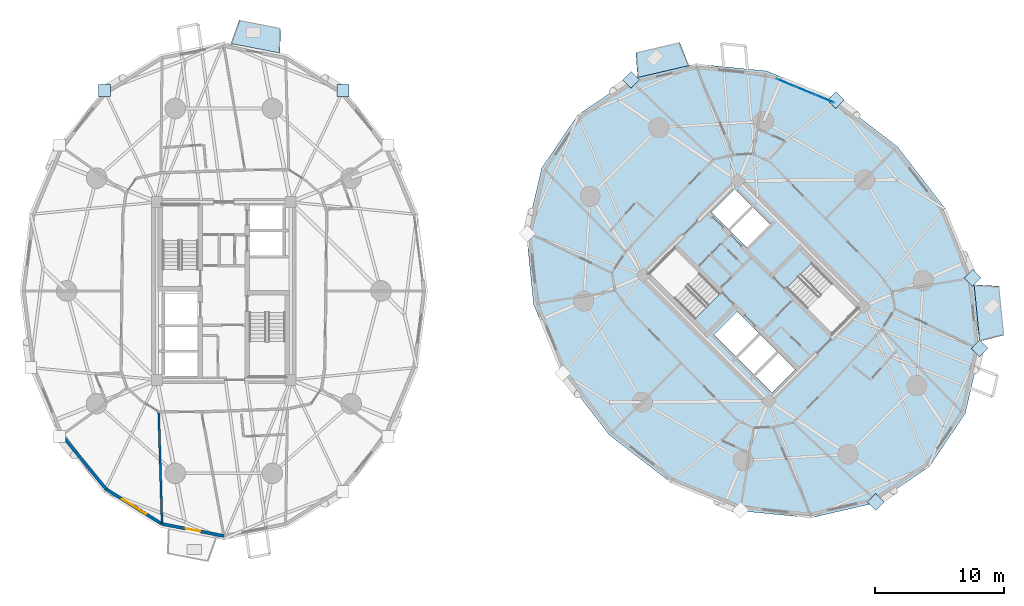
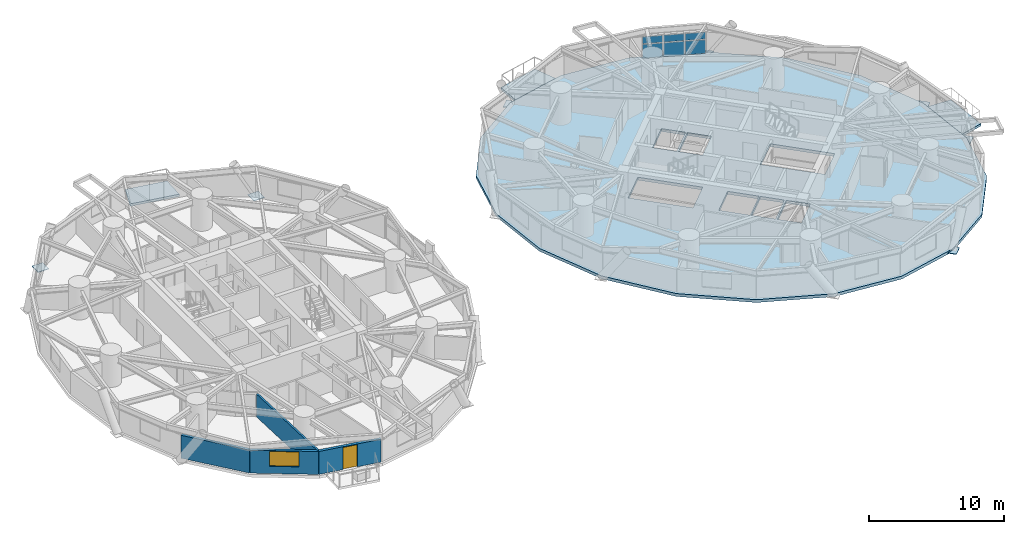
# One storey, part 9 of 19: 13 plates, 4 slabs, 4 walls, 1 door, 1 window, 2 openings, 1 element without a shape of its own.
"""IFC4 building model written with IfcOpenShell, lengths in metres."""

import ifcopenshell
import ifcopenshell.guid

model = None  # the IFC model being written
_history = None  # IfcOwnerHistory: only IFC2X3 demands one
_inside = {}  # id of a spatial element -> (the spatial element, [elements in it])
_under = {}  # id of a project, library or spatial element -> (it, [spatial elements below it])
_declared = {}  # id of a project -> (the project, [libraries it declares])
_typed = {}  # id of a type object -> (the type object, [elements of that type])
_made_of = {}  # id of a material, layer set ... -> (it, [elements and type objects made of it])


def new_model(schema):
    """Start an empty IFC model of exactly this schema.

    Asked for "IFC4X3", IfcOpenShell would pick the latest addendum, in which some entities
    have other attributes; the version numbers below select the first issue.
    IFC2X3 requires an IfcOwnerHistory on every rooted entity: one is made here for all.
    """
    global model, _history
    if schema == "IFC4X3":
        model = ifcopenshell.file(schema_version=(4, 3, 0, 0))
    else:
        model = ifcopenshell.file(schema=schema)
    _inside.clear()
    _under.clear()
    _declared.clear()
    _typed.clear()
    _made_of.clear()
    _history = None
    if model.schema == "IFC2X3":
        org = make("IfcOrganization", Name="unknown")
        user = make(
            "IfcPersonAndOrganization",
            ThePerson=make("IfcPerson", FamilyName="unknown"),
            TheOrganization=org,
        )
        app = make(
            "IfcApplication",
            ApplicationDeveloper=org,
            Version="unknown",
            ApplicationFullName="unknown",
            ApplicationIdentifier="unknown",
        )
        _history = make(
            "IfcOwnerHistory",
            OwningUser=user,
            OwningApplication=app,
            ChangeAction="ADDED",
            CreationDate=0,
        )
    return model


def make(cls, **values):
    """One entity of the class cls with the attributes given. An attribute that is None is left unset."""
    return model.create_entity(
        cls, **{name: value for name, value in values.items() if value is not None}
    )


def rooted(cls, **values):
    """An entity with a GlobalId (a new one), such as an element, a storey or a relation."""
    return make(cls, GlobalId=ifcopenshell.guid.new(), OwnerHistory=_history, **values)


def si_unit(unit_type, name, prefix=None):
    """IfcSIUnit, for example si_unit("LENGTHUNIT", "METRE", prefix="MILLI")."""
    return make("IfcSIUnit", UnitType=unit_type, Prefix=prefix, Name=name)


def assignment(units):
    """IfcUnitAssignment: the units of a project."""
    return None if units is None else make("IfcUnitAssignment", Units=units)


def point(xyz):
    """IfcCartesianPoint."""
    return None if xyz is None else make("IfcCartesianPoint", Coordinates=xyz)


def direction(xyz):
    """IfcDirection."""
    return None if xyz is None else make("IfcDirection", DirectionRatios=xyz)


def frame(location, z_axis=None, x_axis=None):
    """IfcAxis2Placement3D, a coordinate frame: its origin and axes. An axis left out is left unset."""
    return make(
        "IfcAxis2Placement3D",
        Location=point(location),
        Axis=direction(z_axis),
        RefDirection=direction(x_axis),
    )


def frame_2d(location, x_axis=None):
    """IfcAxis2Placement2D, a coordinate frame in the plane: its origin and x axis."""
    return make(
        "IfcAxis2Placement2D", Location=point(location), RefDirection=direction(x_axis)
    )


def origin():
    """The frame at (0, 0, 0) with its axes left unset."""
    return frame((0.0, 0.0, 0.0))


def origin_2d():
    """The frame at (0, 0) in the plane with its x axis left unset."""
    return frame_2d((0.0, 0.0))


def place(relative_to, where):
    """IfcLocalPlacement: puts the frame where relative to a parent placement (None: the world)."""
    return make(
        "IfcLocalPlacement", PlacementRelTo=relative_to, RelativePlacement=where
    )


def context(
    kind, dimensions, precision=None, world=None, true_north=None, identifier=None
):
    """IfcGeometricRepresentationContext, for example the 3D "Model" context."""
    return make(
        "IfcGeometricRepresentationContext",
        ContextIdentifier=identifier,
        ContextType=kind,
        CoordinateSpaceDimension=dimensions,
        Precision=precision,
        WorldCoordinateSystem=world,
        TrueNorth=true_north,
    )


def subcontext(parent, identifier, kind, view, scale=None):
    """IfcGeometricRepresentationSubContext, for example "Body" below "Model"."""
    return make(
        "IfcGeometricRepresentationSubContext",
        ContextIdentifier=identifier,
        ContextType=kind,
        ParentContext=parent,
        TargetScale=scale,
        TargetView=view,
    )


def project(units=None, contexts=None):
    """IfcProject with its units and contexts."""
    return rooted(
        "IfcProject",
        Name="project",
        RepresentationContexts=contexts,
        UnitsInContext=assignment(units),
    )


def spatial(cls, under=None, at=None, **own):
    """A site, building, storey or space (cls), placed at a placement, below another one or the project."""
    s = rooted(cls, ObjectPlacement=at, **own)
    if under is not None:
        _under.setdefault(under.id(), (under, []))[1].append(s)
    return s


def polyline(points):
    """IfcPolyline through the points."""
    return make("IfcPolyline", Points=[point(p) for p in points])


def profile(cls, at=None, kind="AREA", **sizes):
    """A parametric profile (cls). Its sizes go by their IFC names, for example OverallWidth=200.0."""
    return make(cls, ProfileType=kind, Position=at, **sizes)


def rectangle(**sizes):
    """IfcRectangleProfileDef."""
    return profile("IfcRectangleProfileDef", **sizes)


def outline(outer, holes=None, kind="AREA"):
    """IfcArbitraryClosedProfileDef: a profile drawn as a closed curve; with holes, ...WithVoids."""
    if holes is None:
        return make("IfcArbitraryClosedProfileDef", ProfileType=kind, OuterCurve=outer)
    return make(
        "IfcArbitraryProfileDefWithVoids",
        ProfileType=kind,
        OuterCurve=outer,
        InnerCurves=holes,
    )


def extrude(swept, where, along, depth):
    """IfcExtrudedAreaSolid: the profile swept, set in the frame where, extruded along a direction by depth."""
    return make(
        "IfcExtrudedAreaSolid",
        SweptArea=swept,
        Position=where,
        ExtrudedDirection=direction(along),
        Depth=depth,
    )


def shape(context_of_items, identifier, shape_type, items):
    """IfcShapeRepresentation: the items that make up one representation, for example the "Body"."""
    return make(
        "IfcShapeRepresentation",
        ContextOfItems=context_of_items,
        RepresentationIdentifier=identifier,
        RepresentationType=shape_type,
        Items=items,
    )


def source(mapping_origin, context_of_items, identifier, shape_type, items):
    """IfcRepresentationMap: a shape defined once, which mapped items show again and again."""
    return make(
        "IfcRepresentationMap",
        MappingOrigin=mapping_origin,
        MappedRepresentation=shape(context_of_items, identifier, shape_type, items),
    )


def transform(
    local_origin,
    x_axis=None,
    y_axis=None,
    z_axis=None,
    scale=None,
    scale2=None,
    scale3=None,
    uniform=True,
):
    """IfcCartesianTransformationOperator3D, or its non-uniform kind. x_axis, y_axis, z_axis: its Axis1, 2, 3."""
    if uniform:
        return make(
            "IfcCartesianTransformationOperator3D",
            Axis1=direction(x_axis),
            Axis2=direction(y_axis),
            LocalOrigin=point(local_origin),
            Scale=scale,
            Axis3=direction(z_axis),
        )
    return make(
        "IfcCartesianTransformationOperator3DnonUniform",
        Axis1=direction(x_axis),
        Axis2=direction(y_axis),
        LocalOrigin=point(local_origin),
        Scale=scale,
        Axis3=direction(z_axis),
        Scale2=scale2,
        Scale3=scale3,
    )


def mapped(mapping_source, mapping_target):
    """IfcMappedItem: shows the shape of a source again, moved by a transform."""
    return make(
        "IfcMappedItem", MappingSource=mapping_source, MappingTarget=mapping_target
    )


def material(Name=None, Category=None):
    """IfcMaterial."""
    return make("IfcMaterial", Name=Name, Category=Category)


def layer(
    of_material, thickness, ventilated=None, Name=None, Category=None, Priority=None
):
    """IfcMaterialLayer: one layer of a wall or slab, of a material (None: an air gap)."""
    return make(
        "IfcMaterialLayer",
        Material=of_material,
        LayerThickness=thickness,
        IsVentilated=ventilated,
        Name=Name,
        Category=Category,
        Priority=Priority,
    )


def layer_set(layers, Name=None):
    """IfcMaterialLayerSet."""
    return make("IfcMaterialLayerSet", MaterialLayers=layers, LayerSetName=Name)


def made_of(thing, what):
    """Note that an element or type object is made of a material, layer set ...; save() writes the relation."""
    if what is not None:
        _made_of.setdefault(what.id(), (what, []))[1].append(thing)
    return thing


def type_object(cls, material=None, **own):
    """A type object (cls), such as IfcWallType, which elements share."""
    return made_of(rooted(cls, **own), material)


def element(
    cls,
    number,
    at=None,
    inside=None,
    cuts=None,
    type_object=None,
    material=None,
    context=None,
    identifier="Body",
    shape_type=None,
    held_by="IfcProductDefinitionShape",
    body=None,
    shapes=None,
    **own,
):
    """One element of the class cls, such as IfcWall. Its Tag is "e" and its number.

    at: its placement. inside: the storey or other place that contains it. cuts: it is an
    opening in that element (IfcRelVoidsElement). A single representation is given by context,
    identifier, shape_type and body (its items); several are given by shapes. held_by: the class
    of the entity that holds the representations. save() writes the other relations.
    """
    e = rooted(cls, Tag="e%d" % number, ObjectPlacement=at, **own)
    if body is not None:
        shapes = [shape(context, identifier, shape_type, body)]
    if shapes is not None:
        e.Representation = make(held_by, Representations=shapes)
    if inside is not None:
        _inside.setdefault(inside.id(), (inside, []))[1].append(e)
    if cuts is not None:
        rooted(
            "IfcRelVoidsElement", RelatingBuildingElement=cuts, RelatedOpeningElement=e
        )
    if type_object is not None:
        _typed.setdefault(type_object.id(), (type_object, []))[1].append(e)
    return made_of(e, material)


def fill(opening, filler):
    """IfcRelFillsElement: the door or window that sits in an opening."""
    return rooted(
        "IfcRelFillsElement",
        RelatingOpeningElement=opening,
        RelatedBuildingElement=filler,
    )


def aggregate(whole, parts):
    """IfcRelAggregates: a whole, such as a stair, and the parts it consists of."""
    return rooted("IfcRelAggregates", RelatingObject=whole, RelatedObjects=parts)


def save(model, path):
    """Write the relations noted so far, then the file.

    IfcRelAggregates (storeys below a building ...), IfcRelContainedInSpatialStructure (elements
    in a storey), IfcRelDefinesByType, IfcRelAssociatesMaterial and IfcRelDeclares: one each for
    every whole, place, type object, material and project.
    """
    for whole, parts in _under.values():
        aggregate(whole, parts)
    for where, things in _inside.values():
        rooted(
            "IfcRelContainedInSpatialStructure",
            RelatedElements=things,
            RelatingStructure=where,
        )
    for kind, things in _typed.values():
        rooted("IfcRelDefinesByType", RelatedObjects=things, RelatingType=kind)
    for what, things in _made_of.values():
        rooted("IfcRelAssociatesMaterial", RelatedObjects=things, RelatingMaterial=what)
    for by, libraries in _declared.values():
        rooted("IfcRelDeclares", RelatingContext=by, RelatedDefinitions=libraries)
    model.write(path)


model = new_model("IFC4")

# Units and contexts
model_context = context("Model", 3, precision=1e-05, world=origin(), true_north=direction((0.0, 1.0)))
body_context = subcontext(model_context, "Body", "Model", "MODEL_VIEW")
ifc_project = project(units=[si_unit("LENGTHUNIT", "METRE"), si_unit("AREAUNIT", "SQUARE_METRE"), si_unit("VOLUMEUNIT", "CUBIC_METRE"), si_unit("PLANEANGLEUNIT", "RADIAN"), si_unit("MASSUNIT", "GRAM", prefix="KILO")], contexts=[model_context])

# Site, building, storey
site_placement = place(None, origin())
site = spatial("IfcSite", under=ifc_project, at=site_placement, CompositionType="ELEMENT")
building_placement = place(site_placement, origin())
building = spatial("IfcBuilding", under=site, at=building_placement, Name="Cununo Teusaquillo Station Towers", CompositionType="ELEMENT")
storey_placement = place(building_placement, frame((0.0, 0.0, 30.72998046875)))
storey = spatial("IfcBuildingStorey", under=building, at=storey_placement, Name="L08", CompositionType="ELEMENT", Elevation=30.72998046875)

# Slabs
ifc_material_1 = material(Name="Concrete C50/60", Category="concrete")
ifc_layer_1 = layer(ifc_material_1, 0.2099609375)
ifc_layer_set_1 = layer_set([ifc_layer_1], Name="Concrete C50/60")
slab_type_1 = type_object("IfcSlabType", Name="SLB-BAL-210", PredefinedType="FLOOR", material=ifc_layer_set_1)
slab_1_placement = place(storey_placement, frame((0.0, 0.0, -0.2099609375)))
element("IfcSlab", 1, at=slab_1_placement, inside=storey, type_object=slab_type_1, Name="L08 Tower A Tree Balcony Slab 1", PredefinedType="FLOOR", context=body_context, shape_type="SweptSolid", body=[
    extrude(outline(polyline([(20.8369140625, 42.9169921875), (17.041015625, 43.650634765625), (17.69873046875, 45.473876953125), (20.90576171875, 44.854248046875), (20.8369140625, 42.9169921875)])), origin(), (0.0, 0.0, 1.0), 0.2099609375),
])
slab_2_placement = place(storey_placement, frame((0.0, 0.0, -0.2099609375)))
element("IfcSlab", 2, at=slab_2_placement, inside=storey, type_object=slab_type_1, Name="L08 Tower B Tree Balcony Slab 1", PredefinedType="FLOOR", context=body_context, shape_type="SweptSolid", body=[
    extrude(outline(polyline([(52.50927734375, 41.9501953125), (48.536865234375, 41.023193359375), (48.393798828125, 42.956298828125), (51.781982421875, 43.7470703125), (52.50927734375, 41.9501953125)])), origin(), (0.0, 0.0, 1.0), 0.2099609375),
])
slab_3_placement = place(storey_placement, frame((0.0, 0.0, -0.2099609375)))
element("IfcSlab", 3, at=slab_3_placement, inside=storey, type_object=slab_type_1, Name="L08 Tower B Tree Balcony Slab 2", PredefinedType="FLOOR", context=body_context, shape_type="SweptSolid", body=[
    extrude(outline(polyline([(75.02099609375, 20.59375), (74.586669921875, 24.97900390625), (76.52197265625, 24.869140625), (76.897216796875, 21.081298828125), (75.02099609375, 20.59375)])), origin(), (0.0, 0.0, 1.0), 0.2099609375),
])
ifc_material_2 = material(Name="Concrete C50/60", Category="concrete")
ifc_layer_2 = layer(ifc_material_2, 0.260009765625)
ifc_layer_set_2 = layer_set([ifc_layer_2], Name="Concrete C50/60")
slab_type_2 = type_object("IfcSlabType", Name="SLB-Z1-260", PredefinedType="FLOOR", material=ifc_layer_set_2)
slab_4_placement = place(storey_placement, frame((0.0, 0.0, -0.260009765625)))
element("IfcSlab", 4, at=slab_4_placement, inside=storey, type_object=slab_type_2, Name="L08 Tower B Floor Slab", PredefinedType="FLOOR", context=body_context, shape_type="SweptSolid", body=[
    extrude(outline(polyline([(68.657470703125, 35.657470703125), (63.905029296875, 39.317626953125), (58.525634765625, 41.52734375), (53.0458984375, 42.0703125), (48.002197265625, 40.893310546875), (43.88818359375, 38.11181640625), (41.106689453125, 33.997802734375), (39.9296875, 28.9541015625), (40.47265625, 23.474365234375), (42.682373046875, 18.094970703125), (46.342529296875, 13.342529296875), (51.094970703125, 9.682373046875), (56.474365234375, 7.47265625), (61.9541015625, 6.9296875), (66.997802734375, 8.106689453125), (71.11181640625, 10.88818359375), (73.893310546875, 15.002197265625), (75.0703125, 20.0458984375), (74.52734375, 25.525634765625), (72.317626953125, 30.905029296875), (68.657470703125, 35.657470703125)]), holes=[polyline([(54.914794921875, 24.28515625), (51.390625, 27.809326171875), (49.43896484375, 25.857666015625), (52.963134765625, 22.33349609375), (54.914794921875, 24.28515625)]), polyline([(60.085205078125, 24.71484375), (63.609375, 21.190673828125), (65.56103515625, 23.142333984375), (62.036865234375, 26.66650390625), (60.085205078125, 24.71484375)]), polyline([(56.156494140625, 19.40869140625), (57.945556640625, 21.19775390625), (56.248291015625, 22.89501953125), (54.45947265625, 21.10595703125), (56.156494140625, 19.40869140625)]), polyline([(58.94970703125, 16.61572265625), (60.738525390625, 18.40478515625), (59.430419921875, 19.712890625), (57.641357421875, 17.923828125), (58.94970703125, 16.61572265625)]), polyline([(57.535400390625, 18.030029296875), (59.32421875, 19.819091796875), (58.01611328125, 21.127197265625), (56.227294921875, 19.338134765625), (57.535400390625, 18.030029296875)]), polyline([(56.98388671875, 27.872802734375), (58.772705078125, 29.661865234375), (57.464599609375, 30.969970703125), (55.67578125, 29.180908203125), (56.98388671875, 27.872802734375)]), polyline([(55.569580078125, 29.287109375), (57.358642578125, 31.076171875), (56.05029296875, 32.38427734375), (54.261474609375, 30.59521484375), (55.569580078125, 29.287109375)])]), origin(), (0.0, 0.0, 1.0), 0.260009765625),
])

# Plates
ifc_material_3 = material(Name="Steel ASTM A572 Grade 50", Category="steel")
ifc_layer_3 = layer(ifc_material_3, 0.050048828125)
ifc_layer_set_3 = layer_set([ifc_layer_3], Name="Steel ASTM A572 Grade 50")
plate_type_1 = type_object("IfcPlateType", Name="PLT-NODE-DN1", PredefinedType="USERDEFINED", material=ifc_layer_set_3)
shared_shape_1 = source(origin(), body_context, "Body", "SweptSolid", [
    extrude(rectangle(XDim=0.919921875, YDim=0.919921875, at=origin_2d()), origin(), (0.0, 0.0, 1.0), 0.050048828125),
])
for number, where, z_axis, x_axis, name in (
    (5, (25.739501953125, 40.02490234375, -0.1650390625), (0.0, 0.0, 1.0), (1.0, 0.0, 0.0), "L08 Tower A Diagrid Node Assembly C03"),
    (6, (7.260498046875, 40.02490234375, -0.1650390625), (0.0, 0.0, 1.0), (1.0, 0.0, 0.0), "L08 Tower A Diagrid Node Assembly C06"),
    (7, (63.8779296875, 39.26416015625, -0.1650390625), (0.0, 0.0, 1.0), (0.707106781187, 0.707106781187, 0.0), "L08 Tower B Diagrid Node Assembly C00"),
    (8, (48.029296875, 40.840087890625, -0.1650390625), (0.0, 0.0, 1.0), (0.707106781187, 0.707106781187, 0.0), "L08 Tower B Diagrid Node Assembly C04"),
    (9, (66.970703125, 8.159912109375, -0.1650390625), (0.0, 0.0, 1.0), (0.707106781187, 0.707106781187, 0.0), "L08 Tower B Diagrid Node Assembly C14"),
    (10, (75.010986328125, 20.055419921875, -0.1650390625), (0.0, 0.0, 1.0), (0.707106781187, 0.707106781187, 0.0), "L08 Tower B Diagrid Node Assembly C16"),
    (11, (74.468017578125, 25.516357421875, -0.1650390625), (0.0, 0.0, 1.0), (0.707106781187, 0.707106781187, 0.0), "L08 Tower B Diagrid Node Assembly C18"),
):
    element("IfcPlate", number, at=place(storey_placement, frame(where, z_axis=z_axis, x_axis=x_axis)), inside=storey, type_object=plate_type_1, Name=name, ObjectType="GUSSET PLATE", PredefinedType="USERDEFINED", context=body_context, shape_type="MappedRepresentation", body=[
        mapped(shared_shape_1, transform((0.0, 0.0, 0.0), x_axis=(1.0, 0.0, 0.0), y_axis=(0.0, 1.0, 0.0), z_axis=(0.0, 0.0, 1.0), scale=1.0)),
    ])

# Curtain wall, plates
ifc_material_4 = material(Name="Ceramic-fritted dark low-E double glazing", Category="glass")
ifc_layer_4 = layer(ifc_material_4, 0.179931640625)
ifc_layer_set_4 = layer_set([ifc_layer_4], Name="Ceramic-fritted dark low-E double glazing")
curtain_wall_type = type_object("IfcCurtainWallType", Name="CW-SYS-02", PredefinedType="USERDEFINED", material=ifc_layer_set_4)
curtain_wall_placement = place(storey_placement, origin())
curtain_wall = element("IfcCurtainWall", 12, at=curtain_wall_placement, inside=storey, type_object=curtain_wall_type, Name="L08 Tower B Facade Curtain Wall C01", ObjectType="FRITTED GLAZING", PredefinedType="USERDEFINED")
ifc_material_5 = material(Name="Ceramic-fritted dark low-E double glazing", Category="glass")
ifc_layer_5 = layer(ifc_material_5, 0.028076171875)
ifc_layer_set_5 = layer_set([ifc_layer_5], Name="Ceramic-fritted dark low-E double glazing")
plate_type_2 = type_object("IfcPlateType", Name="CWP-FRIT-28", PredefinedType="CURTAIN_PANEL", material=ifc_layer_set_5)
shared_shape_2 = source(origin(), body_context, "Body", "SweptSolid", [
    extrude(rectangle(XDim=1.52099609375, YDim=0.028076171875, at=origin_2d()), origin(), (0.0, 0.0, 1.0), 1.241943359375),
])
plate_1_placement = place(storey_placement, frame((60.03564453125, 40.610595703125, 0.06982421875), z_axis=(0.0, 0.0, 1.0), x_axis=(0.924552379146, -0.381054980568, 0.0)))
plate_1 = element("IfcPlate", 13, at=plate_1_placement, type_object=plate_type_2, Name="CW-02 panel 1.1", PredefinedType="CURTAIN_PANEL", context=body_context, shape_type="MappedRepresentation", body=[
    mapped(shared_shape_2, transform((0.0, 0.0, 0.0), x_axis=(1.0, 0.0, 0.0), y_axis=(0.0, 1.0, 0.0), z_axis=(0.0, 0.0, 1.0), scale=1.0)),
])
plate_2_placement = place(storey_placement, frame((63.010009765625, 39.384765625, 0.06982421875), z_axis=(0.0, 0.0, 1.0), x_axis=(0.924552379146, -0.381054980568, 0.0)))
plate_2 = element("IfcPlate", 14, at=plate_2_placement, type_object=plate_type_2, Name="CW-02 panel 3.1", PredefinedType="CURTAIN_PANEL", context=body_context, shape_type="MappedRepresentation", body=[
    mapped(shared_shape_2, transform((0.0, 0.0, 0.0), x_axis=(1.0, 0.0, 0.0), y_axis=(0.0, 1.0, 0.0), z_axis=(0.0, 0.0, 1.0), scale=1.0)),
])
shared_shape_3 = source(origin(), body_context, "Body", "SweptSolid", [
    extrude(rectangle(XDim=1.52099609375, YDim=0.028076171875, at=origin_2d()), origin(), (0.0, 0.0, 1.0), 0.62109375),
])
plate_3_placement = place(storey_placement, frame((60.03564453125, 40.610595703125, 1.382080078125), z_axis=(0.0, 0.0, 1.0), x_axis=(0.924552379146, -0.381054980568, 0.0)))
plate_3 = element("IfcPlate", 15, at=plate_3_placement, type_object=plate_type_2, Name="CW-02 panel 1.2", PredefinedType="CURTAIN_PANEL", context=body_context, shape_type="MappedRepresentation", body=[
    mapped(shared_shape_3, transform((0.0, 0.0, 0.0), x_axis=(1.0, 0.0, 0.0), y_axis=(0.0, 1.0, 0.0), z_axis=(0.0, 0.0, 1.0), scale=1.0)),
])
plate_4_placement = place(storey_placement, frame((63.010009765625, 39.384765625, 1.382080078125), z_axis=(0.0, 0.0, 1.0), x_axis=(0.924552379146, -0.381054980568, 0.0)))
plate_4 = element("IfcPlate", 16, at=plate_4_placement, type_object=plate_type_2, Name="CW-02 panel 3.2", PredefinedType="CURTAIN_PANEL", context=body_context, shape_type="MappedRepresentation", body=[
    mapped(shared_shape_3, transform((0.0, 0.0, 0.0), x_axis=(1.0, 0.0, 0.0), y_axis=(0.0, 1.0, 0.0), z_axis=(0.0, 0.0, 1.0), scale=1.0)),
])
shared_shape_4 = source(origin(), body_context, "Body", "SweptSolid", [
    extrude(rectangle(XDim=1.555908203125, YDim=0.028076171875, at=origin_2d()), origin(), (0.0, 0.0, 1.0), 1.241943359375),
])
plate_5_placement = place(storey_placement, frame((61.52294921875, 39.99755859375, 0.06982421875), z_axis=(0.0, 0.0, 1.0), x_axis=(0.924552379146, -0.381054980568, 0.0)))
plate_5 = element("IfcPlate", 17, at=plate_5_placement, type_object=plate_type_2, Name="CW-02 panel 2.1", PredefinedType="CURTAIN_PANEL", context=body_context, shape_type="MappedRepresentation", body=[
    mapped(shared_shape_4, transform((0.0, 0.0, 0.0), x_axis=(1.0, 0.0, 0.0), y_axis=(0.0, 1.0, 0.0), z_axis=(0.0, 0.0, 1.0), scale=1.0)),
])
shared_shape_5 = source(origin(), body_context, "Body", "SweptSolid", [
    extrude(rectangle(XDim=1.555908203125, YDim=0.028076171875, at=origin_2d()), origin(), (0.0, 0.0, 1.0), 0.62109375),
])
plate_6_placement = place(storey_placement, frame((61.52294921875, 39.99755859375, 1.382080078125), z_axis=(0.0, 0.0, 1.0), x_axis=(0.924552379146, -0.381054980568, 0.0)))
plate_6 = element("IfcPlate", 18, at=plate_6_placement, type_object=plate_type_2, Name="CW-02 panel 2.2", PredefinedType="CURTAIN_PANEL", context=body_context, shape_type="MappedRepresentation", body=[
    mapped(shared_shape_5, transform((0.0, 0.0, 0.0), x_axis=(1.0, 0.0, 0.0), y_axis=(0.0, 1.0, 0.0), z_axis=(0.0, 0.0, 1.0), scale=1.0)),
])
aggregate(curtain_wall, [plate_1, plate_3, plate_5, plate_6, plate_2, plate_4])

# Wall
ifc_material_6 = material(Name="Precast concrete C40/50", Category="concrete")
ifc_layer_6 = layer(ifc_material_6, 0.239990234375)
ifc_layer_set_6 = layer_set([ifc_layer_6], Name="Precast concrete C40/50")
wall_type_1 = type_object("IfcWallType", Name="WL-EXT-240", PredefinedType="SOLIDWALL", material=ifc_layer_set_6)
wall_1_placement = place(storey_placement, frame((7.389892578125, 9.15283203125, 0.0), z_axis=(0.0, 0.0, 1.0), x_axis=(-0.632710215588, 0.774388651189, 0.0)))
element("IfcWall", 19, at=wall_1_placement, inside=storey, type_object=wall_type_1, Name="L08 Tower A Exterior Facade Wall C12", PredefinedType="SOLIDWALL", context=body_context, shape_type="SweptSolid", body=[
    extrude(rectangle(XDim=5.41943359375, YDim=0.239990234375, at=frame_2d((2.709716796875, 0.0))), origin(), (0.0, 0.0, 1.0), 2.072998046875),
])

# Wall, opening, window
wall_2_placement = place(storey_placement, frame((11.71044921875, 6.45849609375, 0.0), z_axis=(0.0, 0.0, 1.0), x_axis=(-0.848528534887, 0.529149624853, 0.0)))
wall_2 = element("IfcWall", 20, at=wall_2_placement, inside=storey, type_object=wall_type_1, Name="L08 Tower A Exterior Facade Wall C13", PredefinedType="SOLIDWALL", context=body_context, shape_type="SweptSolid", body=[
    extrude(rectangle(XDim=5.091796875, YDim=0.239990234375, at=frame_2d((2.5458984375, 0.0))), origin(), (0.0, 0.0, 1.0), 2.072998046875),
])
shared_shape_6 = source(origin(), body_context, "Body", "SweptSolid", [
    extrude(rectangle(XDim=2.199951171875, YDim=1.35009765625, at=frame_2d((1.10009765625, 0.675048828125))), frame((0.0, 0.1298828125, 0.0), z_axis=(0.0, -1.0, 0.0), x_axis=(1.0, 0.0, 0.0)), (0.0, 0.0, 1.0), 0.260009765625),
])
opening_1_placement = place(wall_2_placement, frame((1.446044921875, 0.0, 0.64990234375)))
opening_1 = element("IfcOpeningElement", 21, at=opening_1_placement, cuts=wall_2, Name="Opening WN-01", PredefinedType="OPENING", context=body_context, shape_type="MappedRepresentation", body=[
    mapped(shared_shape_6, transform((0.0, 0.0, 0.0), x_axis=(1.0, 0.0, 0.0), y_axis=(0.0, 1.0, 0.0), z_axis=(0.0, 0.0, 1.0), scale=1.0)),
])
ifc_material_7 = material(Name="Ceramic-fritted dark low-E double glazing", Category="glass")
window_type = type_object("IfcWindowType", Name="WIN-FRIT-2200", PartitioningType="DOUBLE_PANEL_VERTICAL", PredefinedType="WINDOW", material=ifc_material_7)
shared_shape_7 = source(origin(), body_context, "Body", "SweptSolid", [
    extrude(rectangle(XDim=2.199951171875, YDim=1.35009765625, at=frame_2d((1.10009765625, 0.675048828125))), frame((0.0, 0.030029296875, 0.0), z_axis=(0.0, -1.0, 0.0), x_axis=(1.0, 0.0, 0.0)), (0.0, 0.0, 1.0), 0.06005859375),
])
window_placement = place(opening_1_placement, origin())
window = element("IfcWindow", 22, at=window_placement, inside=storey, type_object=window_type, Name="L08 Tower A Facade Window C13", OverallHeight=1.35009765625, OverallWidth=2.199951171875, PartitioningType="DOUBLE_PANEL_VERTICAL", PredefinedType="WINDOW", context=body_context, shape_type="MappedRepresentation", body=[
    mapped(shared_shape_7, transform((0.0, 0.0, 0.0), x_axis=(1.0, 0.0, 0.0), y_axis=(0.0, 1.0, 0.0), z_axis=(0.0, 0.0, 1.0), scale=1.0)),
])
fill(opening_1, window)

# Wall, opening, door
wall_3_placement = place(storey_placement, frame((16.5, 5.530029296875, 0.0), z_axis=(0.0, 0.0, 1.0), x_axis=(-0.981724094622, 0.190309752872, 0.0)))
wall_3 = element("IfcWall", 23, at=wall_3_placement, inside=storey, type_object=wall_type_1, Name="L08 Tower A Exterior Facade Wall C14", PredefinedType="SOLIDWALL", context=body_context, shape_type="SweptSolid", body=[
    extrude(rectangle(XDim=4.878662109375, YDim=0.239990234375, at=frame_2d((2.439453125, 0.0))), origin(), (0.0, 0.0, 1.0), 2.072998046875),
])
shared_shape_8 = source(origin(), body_context, "Body", "SweptSolid", [
    extrude(rectangle(XDim=1.14990234375, YDim=2.0048828125, at=frame_2d((0.574951171875, 1.00244140625))), frame((0.0, 0.1298828125, 0.0), z_axis=(0.0, -1.0, 0.0), x_axis=(1.0, 0.0, 0.0)), (0.0, 0.0, 1.0), 0.260009765625),
])
opening_2_placement = place(wall_3_placement, frame((1.864013671875, 0.0, 0.0)))
opening_2 = element("IfcOpeningElement", 24, at=opening_2_placement, cuts=wall_3, Name="Opening ED-03", PredefinedType="OPENING", context=body_context, shape_type="MappedRepresentation", body=[
    mapped(shared_shape_8, transform((0.0, 0.0, 0.0), x_axis=(1.0, 0.0, 0.0), y_axis=(0.0, 1.0, 0.0), z_axis=(0.0, 0.0, 1.0), scale=1.0)),
])
ifc_material_8 = material(Name="Anodised dark bronze aluminium EN AW-6063-T6", Category="aluminium")
door_type = type_object("IfcDoorType", Name="DR-EXT-BAL", OperationType="NOTDEFINED", PredefinedType="DOOR", material=ifc_material_8)
shared_shape_9 = source(origin(), body_context, "Body", "SweptSolid", [
    extrude(rectangle(XDim=1.14990234375, YDim=2.0048828125, at=frame_2d((0.574951171875, 1.00244140625))), frame((0.0, 0.02490234375, 0.0), z_axis=(0.0, -1.0, 0.0), x_axis=(1.0, 0.0, 0.0)), (0.0, 0.0, 1.0), 0.050048828125),
])
door_placement = place(opening_2_placement, origin())
door = element("IfcDoor", 25, at=door_placement, inside=storey, type_object=door_type, Name="L08 Tower A Tree Balcony Door C14", OperationType="SINGLE_SWING_LEFT", OverallHeight=2.0048828125, OverallWidth=1.14990234375, PredefinedType="DOOR", context=body_context, shape_type="MappedRepresentation", body=[
    mapped(shared_shape_9, transform((0.0, 0.0, 0.0), x_axis=(1.0, 0.0, 0.0), y_axis=(0.0, 1.0, 0.0), z_axis=(0.0, 0.0, 1.0), scale=1.0)),
])
fill(opening_2, door)

# Wall
ifc_material_9 = material(Name="Fire-rated gypsum plasterboard partition assembly", Category="gypsum")
ifc_layer_7 = layer(ifc_material_9, 0.159912109375)
ifc_layer_set_7 = layer_set([ifc_layer_7], Name="Fire-rated gypsum plasterboard partition assembly")
wall_type_2 = type_object("IfcWallType", Name="WL-PART-160", PredefinedType="PARTITIONING", material=ifc_layer_set_7)
wall_4_placement = place(storey_placement, frame((11.459716796875, 15.128662109375, 0.0), z_axis=(0.0, 0.0, 1.0), x_axis=(0.029703270067, -0.999558760528, 0.0)))
element("IfcWall", 26, at=wall_4_placement, inside=storey, type_object=wall_type_2, Name="L08 Tower A Radial Suite Partition R08", PredefinedType="PARTITIONING", context=body_context, shape_type="SweptSolid", body=[
    extrude(rectangle(XDim=8.655029296875, YDim=0.159912109375, at=frame_2d((4.32763671875, 0.0))), origin(), (0.0, 0.0, 1.0), 2.072998046875),
])

save(model, "model.ifc")
